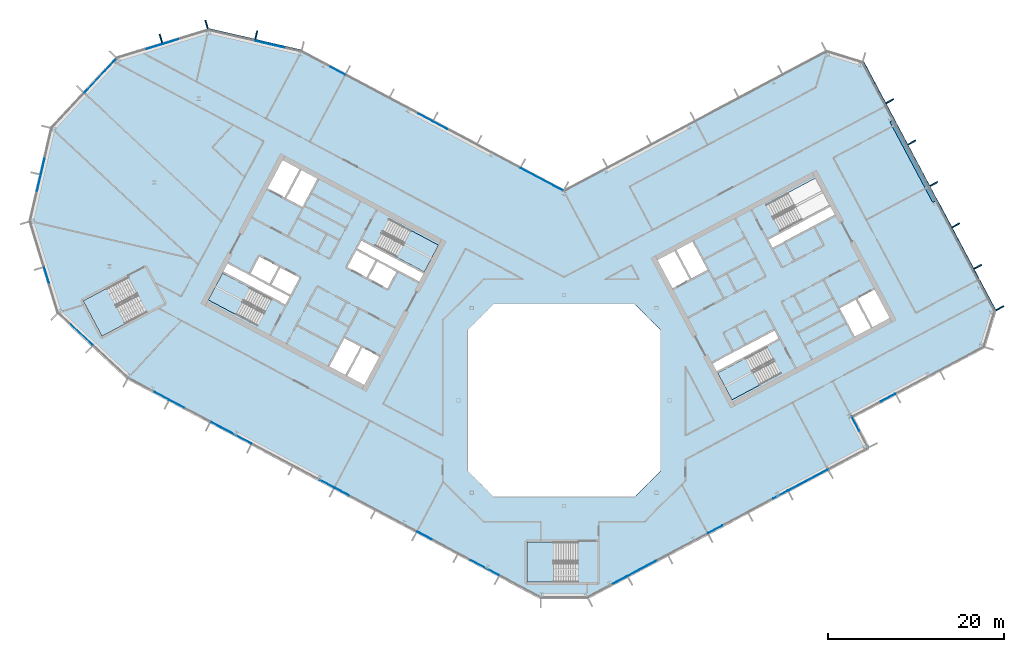
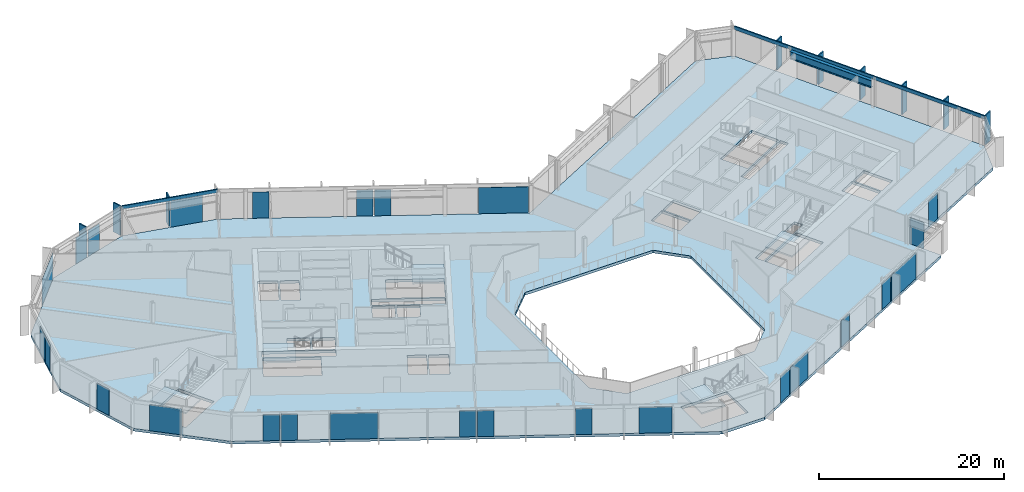
# One storey, part 10 of 26: 26 plates, 11 members, 6 slabs, 1 beam, 17 elements without a shape of their own.
"""IFC4 building model written with IfcOpenShell, lengths in metres."""

from ifc_helpers import new_model, si_unit, direction, frame, origin, origin_2d, place, context, subcontext, project, spatial, polyline, rectangle, i_section, outline, extrude, material, layer, layer_set, material_profile, profile_set, type_object, element, aggregate, save


model = new_model("IFC4")

# Units and contexts
model_context = context("Model", 3, precision=1e-05, world=origin(), true_north=direction((0.0, 1.0)))
body_context = subcontext(model_context, "Body", "Model", "MODEL_VIEW")
ifc_project = project(units=[si_unit("LENGTHUNIT", "METRE"), si_unit("AREAUNIT", "SQUARE_METRE"), si_unit("VOLUMEUNIT", "CUBIC_METRE"), si_unit("PLANEANGLEUNIT", "RADIAN"), si_unit("MASSUNIT", "GRAM", prefix="KILO")], contexts=[model_context])

# Site, building, storey
site_placement = place(None, origin())
site = spatial("IfcSite", under=ifc_project, at=site_placement, CompositionType="ELEMENT")
building_placement = place(site_placement, origin())
building = spatial("IfcBuilding", under=site, at=building_placement, Name="Cormorant Relay Tower", CompositionType="ELEMENT")
storey_placement = place(building_placement, frame((0.0, 0.0, 193.5)))
storey = spatial("IfcBuildingStorey", under=building, at=storey_placement, Name="L41", CompositionType="ELEMENT", Elevation=193.5)

# Curtain wall, members
ifc_material_1 = material(Name="Aluminium 6063-T6 anodised bronze", Category="aluminium")
ifc_layer_1 = layer(ifc_material_1, 0.199951171875)
ifc_layer_set_1 = layer_set([ifc_layer_1], Name="CW1 unitised bronze curtain wall with vertical fins")
curtain_wall_type = type_object("IfcCurtainWallType", Name="CW1 unitised bronze curtain wall with vertical fins", PredefinedType="NOTDEFINED", material=ifc_layer_set_1)
curtain_wall_1_placement = place(storey_placement, origin())
curtain_wall_1 = element("IfcCurtainWall", 1, at=curtain_wall_1_placement, inside=storey, type_object=curtain_wall_type, Name="CW1 curtain wall 6", PredefinedType="NOTDEFINED")
ifc_material_2 = material(Name="Aluminium 6063-T6 anodised bronze", Category="aluminium")
ifc_material_profile_1 = material_profile(ifc_material_2, rectangle(XDim=0.14990234375, YDim=1.0, at=origin_2d()), Name="AL 150x1000")
ifc_profile_set_1 = profile_set([ifc_material_profile_1], Name="Aluminium 6063-T6 anodised bronze")
member_type_1 = type_object("IfcMemberType", Name="CW1 bronze fin mullion 150 x 1000", PredefinedType="MULLION", material=ifc_profile_set_1)
member_1_placement = place(storey_placement, frame((49.572021484375, 10.501953125, 0.0), z_axis=(0.0, 0.0, 1.0), x_axis=(-0.469471562786, 0.882947592859, 0.0)))
member_1 = element("IfcMember", 2, at=member_1_placement, type_object=member_type_1, Name="CW1 fin 6.1", PredefinedType="MULLION", context=body_context, shape_type="SweptSolid", body=[
    extrude(rectangle(XDim=0.14990234375, YDim=1.0, at=origin_2d()), origin(), (0.0, 0.0, 1.0), 3.89990234375),
])
member_2_placement = place(storey_placement, frame((47.068359375, 15.211181640625, 0.0), z_axis=(0.0, 0.0, 1.0), x_axis=(-0.469471562786, 0.882947592859, 0.0)))
member_2 = element("IfcMember", 3, at=member_2_placement, type_object=member_type_1, Name="CW1 fin 6.2", PredefinedType="MULLION", context=body_context, shape_type="SweptSolid", body=[
    extrude(rectangle(XDim=0.14990234375, YDim=1.0, at=origin_2d()), origin(), (0.0, 0.0, 1.0), 3.89990234375),
])
member_3_placement = place(storey_placement, frame((44.564453125, 19.920166015625, 0.0), z_axis=(0.0, 0.0, 1.0), x_axis=(-0.469471562786, 0.882947592859, 0.0)))
member_3 = element("IfcMember", 4, at=member_3_placement, type_object=member_type_1, Name="CW1 fin 6.3", PredefinedType="MULLION", context=body_context, shape_type="SweptSolid", body=[
    extrude(rectangle(XDim=0.14990234375, YDim=1.0, at=origin_2d()), origin(), (0.0, 0.0, 1.0), 3.89990234375),
])
member_4_placement = place(storey_placement, frame((42.060546875, 24.629150390625, 0.0), z_axis=(0.0, 0.0, 1.0), x_axis=(-0.469471562786, 0.882947592859, 0.0)))
member_4 = element("IfcMember", 5, at=member_4_placement, type_object=member_type_1, Name="CW1 fin 6.4", PredefinedType="MULLION", context=body_context, shape_type="SweptSolid", body=[
    extrude(rectangle(XDim=0.14990234375, YDim=1.0, at=origin_2d()), origin(), (0.0, 0.0, 1.0), 3.89990234375),
])
member_5_placement = place(storey_placement, frame((39.556884765625, 29.338134765625, 0.0), z_axis=(0.0, 0.0, 1.0), x_axis=(-0.469471562786, 0.882947592859, 0.0)))
member_5 = element("IfcMember", 6, at=member_5_placement, type_object=member_type_1, Name="CW1 fin 6.5", PredefinedType="MULLION", context=body_context, shape_type="SweptSolid", body=[
    extrude(rectangle(XDim=0.14990234375, YDim=1.0, at=origin_2d()), origin(), (0.0, 0.0, 1.0), 3.89990234375),
])
member_6_placement = place(storey_placement, frame((37.052978515625, 34.04736328125, 0.0), z_axis=(0.0, 0.0, 1.0), x_axis=(-0.469471562786, 0.882947592859, 0.0)))
member_6 = element("IfcMember", 7, at=member_6_placement, type_object=member_type_1, Name="CW1 fin 6.6", PredefinedType="MULLION", context=body_context, shape_type="SweptSolid", body=[
    extrude(rectangle(XDim=0.14990234375, YDim=1.0, at=origin_2d()), origin(), (0.0, 0.0, 1.0), 3.89990234375),
])

# Curtain wall, member
curtain_wall_2_placement = place(storey_placement, origin())
curtain_wall_2 = element("IfcCurtainWall", 8, at=curtain_wall_2_placement, inside=storey, type_object=curtain_wall_type, Name="CW1 curtain wall 10", PredefinedType="NOTDEFINED")
member_7_placement = place(storey_placement, frame((-35.01220703125, 41.57275390625, 0.0), z_axis=(0.0, 0.0, 1.0), x_axis=(-0.974370064785, 0.224951054344, 0.0)))
member_7 = element("IfcMember", 9, at=member_7_placement, type_object=member_type_1, Name="CW1 fin 10.2", PredefinedType="MULLION", context=body_context, shape_type="SweptSolid", body=[
    extrude(rectangle(XDim=0.14990234375, YDim=1.0, at=origin_2d()), origin(), (0.0, 0.0, 1.0), 3.89990234375),
])

# Curtain wall, members
curtain_wall_3_placement = place(storey_placement, origin())
curtain_wall_3 = element("IfcCurtainWall", 10, at=curtain_wall_3_placement, inside=storey, type_object=curtain_wall_type, Name="CW1 curtain wall 11", PredefinedType="NOTDEFINED")
member_8_placement = place(storey_placement, frame((-40.670166015625, 42.78271484375, 0.0), z_axis=(0.0, 0.0, 1.0), x_axis=(-0.956304755963, -0.292371704723, 0.0)))
member_8 = element("IfcMember", 11, at=member_8_placement, type_object=member_type_1, Name="CW1 fin 11.1", PredefinedType="MULLION", context=body_context, shape_type="SweptSolid", body=[
    extrude(rectangle(XDim=0.14990234375, YDim=1.0, at=origin_2d()), origin(), (0.0, 0.0, 1.0), 3.89990234375),
])
member_9_placement = place(storey_placement, frame((-45.867919921875, 41.193603515625, 0.0), z_axis=(0.0, 0.0, 1.0), x_axis=(-0.956304755963, -0.292371704723, 0.0)))
member_9 = element("IfcMember", 12, at=member_9_placement, type_object=member_type_1, Name="CW1 fin 11.2", PredefinedType="MULLION", context=body_context, shape_type="SweptSolid", body=[
    extrude(rectangle(XDim=0.14990234375, YDim=1.0, at=origin_2d()), origin(), (0.0, 0.0, 1.0), 3.89990234375),
])

# Member
ifc_material_3 = material(Name="Aluminium 6063-T6 anodised bronze", Category="aluminium")
ifc_material_profile_2 = material_profile(ifc_material_3, rectangle(XDim=0.159912109375, YDim=0.449951171875, at=origin_2d()), Name="AL 160x450")
ifc_profile_set_2 = profile_set([ifc_material_profile_2], Name="Aluminium 6063-T6 anodised bronze")
member_type_2 = type_object("IfcMemberType", Name="CW1 bronze transom 160 x 450", PredefinedType="USERDEFINED", material=ifc_profile_set_2)
member_10_placement = place(storey_placement, frame((49.06005859375, 10.229736328125, 3.675048828125), z_axis=(-0.46947036835, 0.882948227951, 0.0), x_axis=(-0.882948227951, -0.46947036835, 0.0)))
member_10 = element("IfcMember", 13, at=member_10_placement, type_object=member_type_2, Name="CW1 transom 6", ObjectType="TRANSOM", PredefinedType="USERDEFINED", context=body_context, shape_type="SweptSolid", body=[
    extrude(rectangle(XDim=0.159912109375, YDim=0.449951171875, at=origin_2d()), origin(), (0.0, 0.0, 1.0), 31.999755859375),
])

aggregate(curtain_wall_1, [member_1, member_2, member_3, member_4, member_5, member_6, member_10])

member_11_placement = place(storey_placement, frame((-29.8466796875, 39.784912109375, 3.675048828125), z_axis=(-0.974365070969, 0.224972683844, 0.0), x_axis=(-0.224972683844, -0.974365070969, 0.0)))
member_11 = element("IfcMember", 14, at=member_11_placement, type_object=member_type_2, Name="CW1 transom 10", ObjectType="TRANSOM", PredefinedType="USERDEFINED", context=body_context, shape_type="SweptSolid", body=[
    extrude(rectangle(XDim=0.159912109375, YDim=0.449951171875, at=origin_2d()), origin(), (0.0, 0.0, 1.0), 10.870361328125),
])

# Beam
ifc_material_4 = material(Name="Steel ASTM A992 (Fy 345 MPa)", Category="steel")
ifc_material_profile_3 = material_profile(ifc_material_4, i_section(OverallWidth=0.4013671875, OverallDepth=0.990478515625, WebThickness=0.0166015625, FlangeThickness=0.031005859375, FilletRadius=0.030029296875, at=origin_2d()), Name="W1000x320")
ifc_profile_set_3 = profile_set([ifc_material_profile_3], Name="Steel ASTM A992 (Fy 345 MPa)")
beam_type = type_object("IfcBeamType", Name="Spandrel W1000x320", PredefinedType="SPANDREL", material=ifc_profile_set_3)
beam_placement = place(storey_placement, frame((42.109619140625, 22.61865234375, 3.044677734375), z_axis=(-0.469476269233, 0.882945090381, 0.0), x_axis=(-0.882945090381, -0.469476269233, 0.0)))
element("IfcBeam", 15, at=beam_placement, inside=storey, type_object=beam_type, Name="Spandrel beam L41-006", PredefinedType="SPANDREL", context=body_context, shape_type="SweptSolid", body=[
    extrude(i_section(OverallWidth=0.4013671875, OverallDepth=0.990478515625, WebThickness=0.0166015625, FlangeThickness=0.031005859375, FilletRadius=0.030029296875, at=origin_2d()), origin(), (0.0, 0.0, 1.0), 10.396484375),
])

# Curtain wall, plates
curtain_wall_4_placement = place(storey_placement, origin())
curtain_wall_4 = element("IfcCurtainWall", 16, at=curtain_wall_4_placement, inside=storey, type_object=curtain_wall_type, Name="CW1 curtain wall 2", PredefinedType="NOTDEFINED")
ifc_material_5 = material(Name="Tinted laminated glass", Category="glass")
ifc_layer_2 = layer(ifc_material_5, 0.0400390625)
ifc_layer_set_2 = layer_set([ifc_layer_2], Name="CW1 tinted vision panel 1800 module")
plate_type_1 = type_object("IfcPlateType", Name="CW1 tinted vision panel 1800 module", PredefinedType="CURTAIN_PANEL", material=ifc_layer_set_2)
plate_1_placement = place(storey_placement, frame((6.359130859375, -20.42529296875, 0.0), z_axis=(0.0, 0.0, 1.0), x_axis=(0.882947592859, 0.469471562786, 0.0)))
plate_1 = element("IfcPlate", 17, at=plate_1_placement, type_object=plate_type_1, Name="CW1 panel V01", PredefinedType="CURTAIN_PANEL", context=body_context, shape_type="SweptSolid", body=[
    extrude(rectangle(XDim=1.800048828125, YDim=0.0400390625, at=origin_2d()), origin(), (0.0, 0.0, 1.0), 3.449951171875),
])
plate_2_placement = place(storey_placement, frame((17.20458984375, -14.65869140625, 0.0), z_axis=(0.0, 0.0, 1.0), x_axis=(0.882947592859, 0.469471562786, 0.0)))
plate_2 = element("IfcPlate", 18, at=plate_2_placement, type_object=plate_type_1, Name="CW1 panel V04", PredefinedType="CURTAIN_PANEL", context=body_context, shape_type="SweptSolid", body=[
    extrude(rectangle(XDim=1.800048828125, YDim=0.0400390625, at=origin_2d()), origin(), (0.0, 0.0, 1.0), 3.449951171875),
])
plate_3_placement = place(storey_placement, frame((24.6064453125, -10.72314453125, 0.0), z_axis=(0.0, 0.0, 1.0), x_axis=(0.882947592859, 0.469471562786, 0.0)))
plate_3 = element("IfcPlate", 19, at=plate_3_placement, type_object=plate_type_1, Name="CW1 panel V06", PredefinedType="CURTAIN_PANEL", context=body_context, shape_type="SweptSolid", body=[
    extrude(rectangle(XDim=1.800048828125, YDim=0.0400390625, at=origin_2d()), origin(), (0.0, 0.0, 1.0), 3.449951171875),
])

# Curtain wall, plate
curtain_wall_5_placement = place(storey_placement, origin())
curtain_wall_5 = element("IfcCurtainWall", 20, at=curtain_wall_5_placement, inside=storey, type_object=curtain_wall_type, Name="CW1 curtain wall 3", PredefinedType="NOTDEFINED")
plate_4_placement = place(storey_placement, frame((33.143798828125, -2.650146484375, 0.0), z_axis=(0.0, 0.0, 1.0), x_axis=(-0.469471562786, 0.882947592859, 0.0)))
plate_4 = element("IfcPlate", 21, at=plate_4_placement, type_object=plate_type_1, Name="CW1 panel V01", PredefinedType="CURTAIN_PANEL", context=body_context, shape_type="SweptSolid", body=[
    extrude(rectangle(XDim=1.800048828125, YDim=0.0400390625, at=origin_2d()), origin(), (0.0, 0.0, 1.0), 3.449951171875),
])
aggregate(curtain_wall_5, [plate_4])

curtain_wall_6_placement = place(storey_placement, origin())
curtain_wall_6 = element("IfcCurtainWall", 22, at=curtain_wall_6_placement, inside=storey, type_object=curtain_wall_type, Name="CW1 curtain wall 4", PredefinedType="NOTDEFINED")
plate_5_placement = place(storey_placement, frame((36.85546875, 0.320068359375, 0.0), z_axis=(0.0, 0.0, 1.0), x_axis=(0.882947592859, 0.469471562786, 0.0)))
plate_5 = element("IfcPlate", 23, at=plate_5_placement, type_object=plate_type_1, Name="CW1 panel V01", PredefinedType="CURTAIN_PANEL", context=body_context, shape_type="SweptSolid", body=[
    extrude(rectangle(XDim=1.800048828125, YDim=0.0400390625, at=origin_2d()), origin(), (0.0, 0.0, 1.0), 3.449951171875),
])
aggregate(curtain_wall_6, [plate_5])

# Curtain wall, plates
curtain_wall_7_placement = place(storey_placement, origin())
curtain_wall_7 = element("IfcCurtainWall", 24, at=curtain_wall_7_placement, inside=storey, type_object=curtain_wall_type, Name="CW1 curtain wall 9", PredefinedType="NOTDEFINED")
plate_6_placement = place(storey_placement, frame((-14.066650390625, 31.285888671875, 0.0), z_axis=(0.0, 0.0, 1.0), x_axis=(-0.882947592859, 0.469471562786, 0.0)))
plate_6 = element("IfcPlate", 25, at=plate_6_placement, type_object=plate_type_1, Name="CW1 panel V02", PredefinedType="CURTAIN_PANEL", context=body_context, shape_type="SweptSolid", body=[
    extrude(rectangle(XDim=1.800048828125, YDim=0.0400390625, at=origin_2d()), origin(), (0.0, 0.0, 1.0), 3.449951171875),
])
plate_7_placement = place(storey_placement, frame((-15.788330078125, 32.201416015625, 0.0), z_axis=(0.0, 0.0, 1.0), x_axis=(-0.882947592859, 0.469471562786, 0.0)))
plate_7 = element("IfcPlate", 26, at=plate_7_placement, type_object=plate_type_1, Name="CW1 panel V03", PredefinedType="CURTAIN_PANEL", context=body_context, shape_type="SweptSolid", body=[
    extrude(rectangle(XDim=1.800048828125, YDim=0.0400390625, at=origin_2d()), origin(), (0.0, 0.0, 1.0), 3.449951171875),
])
plate_8_placement = place(storey_placement, frame((-25.746337890625, 37.49609375, 0.0), z_axis=(0.0, 0.0, 1.0), x_axis=(-0.882947592859, 0.469471562786, 0.0)))
plate_8 = element("IfcPlate", 27, at=plate_8_placement, type_object=plate_type_1, Name="CW1 panel V05", PredefinedType="CURTAIN_PANEL", context=body_context, shape_type="SweptSolid", body=[
    extrude(rectangle(XDim=1.800048828125, YDim=0.0400390625, at=origin_2d()), origin(), (0.0, 0.0, 1.0), 3.449951171875),
])

# Plate
plate_9_placement = place(storey_placement, frame((-44.73681640625, 40.82861328125, 0.0), z_axis=(0.0, 0.0, 1.0), x_axis=(-0.956304755963, -0.292371704723, 0.0)))
plate_9 = element("IfcPlate", 28, at=plate_9_placement, type_object=plate_type_1, Name="CW1 panel V01", PredefinedType="CURTAIN_PANEL", context=body_context, shape_type="SweptSolid", body=[
    extrude(rectangle(XDim=1.800048828125, YDim=0.0400390625, at=origin_2d()), origin(), (0.0, 0.0, 1.0), 3.449951171875),
])

plate_10_placement = place(storey_placement, frame((-46.6015625, 40.25830078125, 0.0), z_axis=(0.0, 0.0, 1.0), x_axis=(-0.956304755963, -0.292371704723, 0.0)))
plate_10 = element("IfcPlate", 29, at=plate_10_placement, type_object=plate_type_1, Name="CW1 panel V02", PredefinedType="CURTAIN_PANEL", context=body_context, shape_type="SweptSolid", body=[
    extrude(rectangle(XDim=1.800048828125, YDim=0.0400390625, at=origin_2d()), origin(), (0.0, 0.0, 1.0), 3.449951171875),
])

aggregate(curtain_wall_3, [member_8, member_9, plate_9, plate_10])

# Curtain wall, plates
curtain_wall_8_placement = place(storey_placement, origin())
curtain_wall_8 = element("IfcCurtainWall", 30, at=curtain_wall_8_placement, inside=storey, type_object=curtain_wall_type, Name="CW1 curtain wall 13", PredefinedType="NOTDEFINED")
plate_11_placement = place(storey_placement, frame((-59.29736328125, 26.643798828125, 0.0), z_axis=(0.0, 0.0, 1.0), x_axis=(-0.224951054344, -0.974370064785, 0.0)))
plate_11 = element("IfcPlate", 31, at=plate_11_placement, type_object=plate_type_1, Name="CW1 panel V01", PredefinedType="CURTAIN_PANEL", context=body_context, shape_type="SweptSolid", body=[
    extrude(rectangle(XDim=1.800048828125, YDim=0.0400390625, at=origin_2d()), origin(), (0.0, 0.0, 1.0), 3.449951171875),
])
plate_12_placement = place(storey_placement, frame((-59.736083984375, 24.74365234375, 0.0), z_axis=(0.0, 0.0, 1.0), x_axis=(-0.224951054344, -0.974370064785, 0.0)))
plate_12 = element("IfcPlate", 32, at=plate_12_placement, type_object=plate_type_1, Name="CW1 panel V02", PredefinedType="CURTAIN_PANEL", context=body_context, shape_type="SweptSolid", body=[
    extrude(rectangle(XDim=1.800048828125, YDim=0.0400390625, at=origin_2d()), origin(), (0.0, 0.0, 1.0), 3.449951171875),
])
aggregate(curtain_wall_8, [plate_11, plate_12])

# Curtain wall, plate
curtain_wall_9_placement = place(storey_placement, origin())
curtain_wall_9 = element("IfcCurtainWall", 33, at=curtain_wall_9_placement, inside=storey, type_object=curtain_wall_type, Name="CW1 curtain wall 14", PredefinedType="NOTDEFINED")
plate_13_placement = place(storey_placement, frame((-58.86474609375, 14.25732421875, 0.0), z_axis=(0.0, 0.0, 1.0), x_axis=(0.292371704723, -0.956304755963, 0.0)))
plate_13 = element("IfcPlate", 34, at=plate_13_placement, type_object=plate_type_1, Name="CW1 panel V01", PredefinedType="CURTAIN_PANEL", context=body_context, shape_type="SweptSolid", body=[
    extrude(rectangle(XDim=1.800048828125, YDim=0.0400390625, at=origin_2d()), origin(), (0.0, 0.0, 1.0), 3.449951171875),
])
aggregate(curtain_wall_9, [plate_13])

# Curtain wall, plates
curtain_wall_10_placement = place(storey_placement, origin())
curtain_wall_10 = element("IfcCurtainWall", 35, at=curtain_wall_10_placement, inside=storey, type_object=curtain_wall_type, Name="CW1 curtain wall 16", PredefinedType="NOTDEFINED")
plate_14_placement = place(storey_placement, frame((-45.767578125, 0.5283203125, 0.0), z_axis=(0.0, 0.0, 1.0), x_axis=(0.882947592859, -0.469471562786, 0.0)))
plate_14 = element("IfcPlate", 36, at=plate_14_placement, type_object=plate_type_1, Name="CW1 panel V01", PredefinedType="CURTAIN_PANEL", context=body_context, shape_type="SweptSolid", body=[
    extrude(rectangle(XDim=1.800048828125, YDim=0.0400390625, at=origin_2d()), origin(), (0.0, 0.0, 1.0), 3.449951171875),
])
plate_15_placement = place(storey_placement, frame((-44.0458984375, -0.38720703125, 0.0), z_axis=(0.0, 0.0, 1.0), x_axis=(0.882947592859, -0.469471562786, 0.0)))
plate_15 = element("IfcPlate", 37, at=plate_15_placement, type_object=plate_type_1, Name="CW1 panel V02", PredefinedType="CURTAIN_PANEL", context=body_context, shape_type="SweptSolid", body=[
    extrude(rectangle(XDim=1.800048828125, YDim=0.0400390625, at=origin_2d()), origin(), (0.0, 0.0, 1.0), 3.449951171875),
])
plate_16_placement = place(storey_placement, frame((-26.990478515625, -9.45556640625, 0.0), z_axis=(0.0, 0.0, 1.0), x_axis=(0.882947592859, -0.469471562786, 0.0)))
plate_16 = element("IfcPlate", 38, at=plate_16_placement, type_object=plate_type_1, Name="CW1 panel V06", PredefinedType="CURTAIN_PANEL", context=body_context, shape_type="SweptSolid", body=[
    extrude(rectangle(XDim=1.800048828125, YDim=0.0400390625, at=origin_2d()), origin(), (0.0, 0.0, 1.0), 3.449951171875),
])
plate_17_placement = place(storey_placement, frame((-25.268798828125, -10.37109375, 0.0), z_axis=(0.0, 0.0, 1.0), x_axis=(0.882947592859, -0.469471562786, 0.0)))
plate_17 = element("IfcPlate", 39, at=plate_17_placement, type_object=plate_type_1, Name="CW1 panel V07", PredefinedType="CURTAIN_PANEL", context=body_context, shape_type="SweptSolid", body=[
    extrude(rectangle(XDim=1.800048828125, YDim=0.0400390625, at=origin_2d()), origin(), (0.0, 0.0, 1.0), 3.449951171875),
])
plate_18_placement = place(storey_placement, frame((-15.880126953125, -15.363037109375, 0.0), z_axis=(0.0, 0.0, 1.0), x_axis=(0.882947592859, -0.469471562786, 0.0)))
plate_18 = element("IfcPlate", 40, at=plate_18_placement, type_object=plate_type_1, Name="CW1 panel V09", PredefinedType="CURTAIN_PANEL", context=body_context, shape_type="SweptSolid", body=[
    extrude(rectangle(XDim=1.800048828125, YDim=0.0400390625, at=origin_2d()), origin(), (0.0, 0.0, 1.0), 3.449951171875),
])

# Plate
ifc_material_6 = material(Name="Tinted laminated glass", Category="glass")
ifc_layer_3 = layer(ifc_material_6, 0.0400390625)
ifc_layer_set_3 = layer_set([ifc_layer_3], Name="CW1 tinted vision panel 3600 module")
plate_type_2 = type_object("IfcPlateType", Name="CW1 tinted vision panel 3600 module", PredefinedType="CURTAIN_PANEL", material=ifc_layer_set_3)
plate_19_placement = place(storey_placement, frame((8.87548828125, -19.08740234375, 0.0), z_axis=(0.0, 0.0, 1.0), x_axis=(0.882947592859, 0.469471562786, 0.0)))
plate_19 = element("IfcPlate", 41, at=plate_19_placement, type_object=plate_type_2, Name="CW1 panel V02", PredefinedType="CURTAIN_PANEL", context=body_context, shape_type="SweptSolid", body=[
    extrude(rectangle(XDim=3.60009765625, YDim=0.0400390625, at=origin_2d()), origin(), (0.0, 0.0, 1.0), 3.449951171875),
])

plate_20_placement = place(storey_placement, frame((-33.338134765625, 40.488525390625, 0.0), z_axis=(0.0, 0.0, 1.0), x_axis=(-0.974370064785, 0.224951054344, 0.0)))
plate_20 = element("IfcPlate", 42, at=plate_20_placement, type_object=plate_type_2, Name="CW1 panel V01", PredefinedType="CURTAIN_PANEL", context=body_context, shape_type="SweptSolid", body=[
    extrude(rectangle(XDim=3.60009765625, YDim=0.0400390625, at=origin_2d()), origin(), (0.0, 0.0, 1.0), 3.449951171875),
])

aggregate(curtain_wall_2, [member_7, member_11, plate_20])

# Curtain wall, plate
curtain_wall_11_placement = place(storey_placement, origin())
curtain_wall_11 = element("IfcCurtainWall", 43, at=curtain_wall_11_placement, inside=storey, type_object=curtain_wall_type, Name="CW1 curtain wall 15", PredefinedType="NOTDEFINED")
plate_21_placement = place(storey_placement, frame((-54.951416015625, 7.55517578125, 0.0), z_axis=(0.0, 0.0, 1.0), x_axis=(0.731353701619, -0.681998360062, 0.0)))
plate_21 = element("IfcPlate", 44, at=plate_21_placement, type_object=plate_type_2, Name="CW1 panel V01", PredefinedType="CURTAIN_PANEL", context=body_context, shape_type="SweptSolid", body=[
    extrude(rectangle(XDim=3.60009765625, YDim=0.0400390625, at=origin_2d()), origin(), (0.0, 0.0, 1.0), 3.449951171875),
])
aggregate(curtain_wall_11, [plate_21])

# Plate
plate_22_placement = place(storey_placement, frame((-9.008056640625, -19.01708984375, 0.0), z_axis=(0.0, 0.0, 1.0), x_axis=(0.882947592859, -0.469471562786, 0.0)))
plate_22 = element("IfcPlate", 45, at=plate_22_placement, type_object=plate_type_2, Name="CW1 panel V11", PredefinedType="CURTAIN_PANEL", context=body_context, shape_type="SweptSolid", body=[
    extrude(rectangle(XDim=3.60009765625, YDim=0.0400390625, at=origin_2d()), origin(), (0.0, 0.0, 1.0), 3.449951171875),
])

ifc_material_7 = material(Name="Tinted laminated glass", Category="glass")
ifc_layer_4 = layer(ifc_material_7, 0.0400390625)
ifc_layer_set_4 = layer_set([ifc_layer_4], Name="CW1 tinted vision panel 5400 module")
plate_type_3 = type_object("IfcPlateType", Name="CW1 tinted vision panel 5400 module", PredefinedType="CURTAIN_PANEL", material=ifc_layer_set_4)
plate_23_placement = place(storey_placement, frame((27.748046875, -9.052734375, 0.0), z_axis=(0.0, 0.0, 1.0), x_axis=(0.882947592859, 0.469471562786, 0.0)))
plate_23 = element("IfcPlate", 46, at=plate_23_placement, type_object=plate_type_3, Name="CW1 panel V07", PredefinedType="CURTAIN_PANEL", context=body_context, shape_type="SweptSolid", body=[
    extrude(rectangle(XDim=5.0166015625, YDim=0.0400390625, at=origin_2d()), origin(), (0.0, 0.0, 1.0), 3.449951171875),
])

aggregate(curtain_wall_4, [plate_1, plate_19, plate_2, plate_3, plate_23])

plate_24_placement = place(storey_placement, frame((-2.51318359375, 25.142822265625, 0.0), z_axis=(0.0, 0.0, 1.0), x_axis=(-0.882947592859, 0.469471562786, 0.0)))
plate_24 = element("IfcPlate", 47, at=plate_24_placement, type_object=plate_type_3, Name="CW1 panel V00", PredefinedType="CURTAIN_PANEL", context=body_context, shape_type="SweptSolid", body=[
    extrude(rectangle(XDim=5.4140625, YDim=0.0400390625, at=origin_2d()), origin(), (0.0, 0.0, 1.0), 3.449951171875),
])

aggregate(curtain_wall_7, [plate_24, plate_6, plate_7, plate_8])

# Curtain wall, plate
curtain_wall_12_placement = place(storey_placement, origin())
curtain_wall_12 = element("IfcCurtainWall", 48, at=curtain_wall_12_placement, inside=storey, type_object=curtain_wall_type, Name="CW1 curtain wall 12", PredefinedType="NOTDEFINED")
plate_25_placement = place(storey_placement, frame((-52.72900390625, 36.961181640625, 0.0), z_axis=(0.0, 0.0, 1.0), x_axis=(-0.681998360062, -0.731353701619, 0.0)))
plate_25 = element("IfcPlate", 49, at=plate_25_placement, type_object=plate_type_3, Name="CW1 panel V00", PredefinedType="CURTAIN_PANEL", context=body_context, shape_type="SweptSolid", body=[
    extrude(rectangle(XDim=5.28515625, YDim=0.0400390625, at=origin_2d()), origin(), (0.0, 0.0, 1.0), 3.449951171875),
])
aggregate(curtain_wall_12, [plate_25])

# Plate
plate_26_placement = place(storey_placement, frame((-37.865234375, -3.67333984375, 0.0), z_axis=(0.0, 0.0, 1.0), x_axis=(0.882947592859, -0.469471562786, 0.0)))
plate_26 = element("IfcPlate", 50, at=plate_26_placement, type_object=plate_type_3, Name="CW1 panel V04", PredefinedType="CURTAIN_PANEL", context=body_context, shape_type="SweptSolid", body=[
    extrude(rectangle(XDim=5.16650390625, YDim=0.0400390625, at=origin_2d()), origin(), (0.0, 0.0, 1.0), 3.449951171875),
])

aggregate(curtain_wall_10, [plate_14, plate_15, plate_26, plate_16, plate_17, plate_18, plate_22])

# Stair, slab
ifc_material_8 = material(Name="Concrete 40 MPa", Category="concrete")
stair_type_1 = type_object("IfcStairType", Name="Exit stair 1500", PredefinedType="HALF_TURN_STAIR", material=ifc_material_8)
stair_1_placement = place(storey_placement, origin())
stair_1 = element("IfcStair", 51, at=stair_1_placement, inside=storey, type_object=stair_type_1, Name="L41 Stair", PredefinedType="HALF_TURN_STAIR")
ifc_material_9 = material(Name="Concrete 40 MPa", Category="concrete")
ifc_layer_5 = layer(ifc_material_9, 0.199951171875)
ifc_layer_set_5 = layer_set([ifc_layer_5], Name="Exit stair landing 200")
slab_type_1 = type_object("IfcSlabType", Name="Exit stair landing 200", PredefinedType="LANDING", material=ifc_layer_set_5)
slab_1_placement = place(storey_placement, frame((0.0, 0.0, 1.75)))
slab_1 = element("IfcSlab", 52, at=slab_1_placement, type_object=slab_type_1, Name="A1 landing 1", PredefinedType="LANDING", context=body_context, shape_type="SweptSolid", body=[
    extrude(outline(polyline([(-19.029541015625, 16.29052734375), (-15.89501953125, 14.6240234375), (-14.275390625, 17.670166015625), (-17.40966796875, 19.3369140625), (-19.029541015625, 16.29052734375)])), origin(), (0.0, 0.0, 1.0), 0.199951171875),
])
aggregate(stair_1, [slab_1])

stair_2_placement = place(storey_placement, origin())
stair_2 = element("IfcStair", 53, at=stair_2_placement, inside=storey, type_object=stair_type_1, Name="L41 Stair", PredefinedType="HALF_TURN_STAIR")
slab_2_placement = place(storey_placement, frame((0.0, 0.0, 1.75)))
slab_2 = element("IfcSlab", 54, at=slab_2_placement, type_object=slab_type_1, Name="A2 landing 1", PredefinedType="LANDING", context=body_context, shape_type="SweptSolid", body=[
    extrude(outline(polyline([(-35.71337890625, 12.816650390625), (-38.84765625, 14.483154296875), (-40.467529296875, 11.43701171875), (-37.3330078125, 9.7705078125), (-35.71337890625, 12.816650390625)])), origin(), (0.0, 0.0, 1.0), 0.199951171875),
])
aggregate(stair_2, [slab_2])

stair_3_placement = place(storey_placement, origin())
stair_3 = element("IfcStair", 55, at=stair_3_placement, inside=storey, type_object=stair_type_1, Name="L41 Stair", PredefinedType="HALF_TURN_STAIR")
slab_3_placement = place(storey_placement, frame((0.0, 0.0, 1.75)))
slab_3 = element("IfcSlab", 56, at=slab_3_placement, type_object=slab_type_1, Name="B1 landing 1", PredefinedType="LANDING", context=body_context, shape_type="SweptSolid", body=[
    extrude(outline(polyline([(20.614990234375, 4.78857421875), (17.48046875, 3.1220703125), (19.10009765625, 0.075927734375), (22.234619140625, 1.742431640625), (20.614990234375, 4.78857421875)])), origin(), (0.0, 0.0, 1.0), 0.199951171875),
])
aggregate(stair_3, [slab_3])

ifc_material_10 = material(Name="Concrete 40 MPa", Category="concrete")
stair_type_2 = type_object("IfcStairType", Name="Remote exit stair 2200", PredefinedType="HALF_TURN_STAIR", material=ifc_material_10)
stair_4_placement = place(storey_placement, origin())
stair_4 = element("IfcStair", 57, at=stair_4_placement, inside=storey, type_object=stair_type_2, Name="L41 Stair", PredefinedType="HALF_TURN_STAIR")
slab_4_placement = place(storey_placement, frame((0.0, 0.0, 1.75)))
slab_4 = element("IfcSlab", 58, at=slab_4_placement, type_object=slab_type_1, Name="RK1 landing 1", PredefinedType="LANDING", context=body_context, shape_type="SweptSolid", body=[
    extrude(outline(polyline([(-1.199951171875, -16.125), (-4.199951171875, -16.125), (-4.199951171875, -20.675048828125), (-1.199951171875, -20.675048828125), (-1.199951171875, -16.125)])), origin(), (0.0, 0.0, 1.0), 0.199951171875),
])
aggregate(stair_4, [slab_4])

stair_5_placement = place(storey_placement, origin())
stair_5 = element("IfcStair", 59, at=stair_5_placement, inside=storey, type_object=stair_type_2, Name="L41 Stair", PredefinedType="HALF_TURN_STAIR")
slab_5_placement = place(storey_placement, frame((0.0, 0.0, 1.75)))
slab_5 = element("IfcSlab", 60, at=slab_5_placement, type_object=slab_type_1, Name="RP1 landing 1", PredefinedType="LANDING", context=body_context, shape_type="SweptSolid", body=[
    extrude(outline(polyline([(-52.051025390625, 12.7392578125), (-54.699951171875, 11.330810546875), (-52.563720703125, 7.3134765625), (-49.914794921875, 8.721923828125), (-52.051025390625, 12.7392578125)])), origin(), (0.0, 0.0, 1.0), 0.199951171875),
])
aggregate(stair_5, [slab_5])

# Slab
ifc_material_11 = material(Name="Concrete 40 MPa", Category="concrete")
ifc_layer_6 = layer(ifc_material_11, 0.360107421875)
ifc_layer_set_6 = layer_set([ifc_layer_6], Name="Flat plate 360")
slab_type_2 = type_object("IfcSlabType", Name="Flat plate 360", PredefinedType="FLOOR", material=ifc_layer_set_6)
slab_6_placement = place(storey_placement, frame((0.0, 0.0, -0.360107421875)))
element("IfcSlab", 61, at=slab_6_placement, inside=storey, type_object=slab_type_2, Name="Floor slab L41", PredefinedType="FLOOR", context=body_context, shape_type="SweptSolid", body=[
    extrude(outline(polyline([(-60.7197265625, 20.393310546875), (-58.2744140625, 30.985107421875), (-50.86083984375, 38.935302734375), (-40.465576171875, 42.11328125), (-29.873779296875, 39.668212890625), (0.0, 23.783935546875), (29.873779296875, 39.668212890625), (33.930908203125, 38.427734375), (48.9541015625, 10.17333984375), (47.713623046875, 6.1162109375), (32.70361328125, -1.864990234375), (34.581298828125, -5.396728515625), (2.648681640625, -22.37548828125), (-2.648681640625, -22.37548828125), (-49.591552734375, 2.584228515625), (-57.541748046875, 9.997802734375), (-60.7197265625, 20.393310546875)]), holes=[polyline([(11.0, -8.0), (11.0, 8.0), (8.0, 11.0), (-8.0, 11.0), (-11.0, 8.0), (-11.0, -8.0), (-8.0, -11.0), (8.0, -11.0), (11.0, -8.0)]), polyline([(-22.95458984375, 6.03271484375), (-24.668212890625, 2.81005859375), (-22.725830078125, 1.777099609375), (-21.01220703125, 5.0), (-23.04296875, 6.07958984375), (-22.95458984375, 6.03271484375)]), polyline([(-24.985595703125, 7.112548828125), (-26.69921875, 3.889892578125), (-24.844970703125, 2.90380859375), (-23.13134765625, 6.126708984375), (-23.04296875, 6.07958984375), (-24.985595703125, 7.112548828125)]), polyline([(-54.69970703125, 11.330810546875), (-52.563720703125, 7.3134765625), (-47.442626953125, 10.036376953125), (-49.57861328125, 14.0537109375), (-54.69970703125, 11.330810546875)]), polyline([(-33.240966796875, 11.502197265625), (-38.847900390625, 14.483154296875), (-40.46728515625, 11.43701171875), (-34.860595703125, 8.455810546875), (-33.240966796875, 11.502197265625)]), polyline([(-38.260986328125, 15.5869140625), (-38.75390625, 14.659912109375), (-31.690185546875, 10.904052734375), (-31.197265625, 11.8310546875), (-38.260986328125, 15.5869140625)]), polyline([(-31.103515625, 12.0078125), (-30.070556640625, 13.9501953125), (-32.278076171875, 15.123779296875), (-33.310791015625, 13.181396484375), (-31.103515625, 12.0078125)]), polyline([(-22.2880859375, 13.889404296875), (-20.080810546875, 12.7158203125), (-19.048095703125, 14.658203125), (-21.25537109375, 15.831787109375), (-22.2880859375, 13.889404296875)]), polyline([(-34.661865234375, 16.3916015625), (-35.69482421875, 14.448974609375), (-33.4873046875, 13.275390625), (-32.45458984375, 15.2177734375), (-34.661865234375, 16.3916015625)]), polyline([(-21.431884765625, 15.92578125), (-23.639404296875, 17.099609375), (-24.672119140625, 15.156982421875), (-22.46484375, 13.9833984375), (-21.431884765625, 15.92578125)]), polyline([(-31.611572265625, 22.980712890625), (-29.75732421875, 21.99462890625), (-28.043701171875, 25.217529296875), (-29.89794921875, 26.203369140625), (-31.611572265625, 22.980712890625)]), polyline([(-32.01708984375, 27.330078125), (-33.73046875, 24.107421875), (-31.7880859375, 23.074462890625), (-30.074462890625, 26.29736328125), (-32.01708984375, 27.330078125)]), polyline([(-4.199951171875, -16.125), (-4.199951171875, -20.675048828125), (1.60009765625, -20.675048828125), (1.60009765625, -16.125), (-4.199951171875, -16.125)]), polyline([(17.48046875, 3.1220703125), (19.10009765625, 0.07568359375), (24.706787109375, 3.056884765625), (23.087158203125, 6.10302734375), (17.48046875, 3.1220703125)]), polyline([(17.386474609375, 3.298583984375), (24.4501953125, 7.054443359375), (23.957275390625, 7.9814453125), (16.8935546875, 4.2255859375), (17.386474609375, 3.298583984375)]), polyline([(33.197021484375, 11.478515625), (31.3427734375, 10.49267578125), (33.056396484375, 7.27001953125), (34.910400390625, 8.255859375), (33.197021484375, 11.478515625)]), polyline([(33.37353515625, 11.572509765625), (35.087158203125, 8.349609375), (37.029541015625, 9.382568359375), (35.31591796875, 12.605224609375), (33.37353515625, 11.572509765625)]), polyline([(14.3056640625, 13.779052734375), (12.592041015625, 17.001708984375), (10.649658203125, 15.968994140625), (12.36328125, 12.74609375), (14.39404296875, 13.825927734375), (14.3056640625, 13.779052734375)]), polyline([(16.33642578125, 14.85888671875), (14.622802734375, 18.08154296875), (12.768798828125, 17.095703125), (14.482421875, 13.872802734375), (14.39404296875, 13.825927734375), (16.33642578125, 14.85888671875)]), polyline([(-16.481689453125, 13.520263671875), (-15.989013671875, 14.447509765625), (-23.052490234375, 18.203125), (-23.54541015625, 17.276123046875), (-16.481689453125, 13.520263671875)]), polyline([(-15.89501953125, 14.6240234375), (-14.275390625, 17.670166015625), (-19.882080078125, 20.6513671875), (-21.501708984375, 17.605224609375), (-15.89501953125, 14.6240234375)]), polyline([(30.78564453125, 21.125732421875), (30.29248046875, 22.052978515625), (23.22900390625, 18.297119140625), (23.721923828125, 17.3701171875), (30.78564453125, 21.125732421875)]), polyline([(24.592041015625, 19.248291015625), (30.19873046875, 22.2294921875), (28.5791015625, 25.275634765625), (22.972412109375, 22.29443359375), (24.592041015625, 19.248291015625)])]), origin(), (0.0, 0.0, 1.0), 0.360107421875),
])

save(model, "model.ifc")
